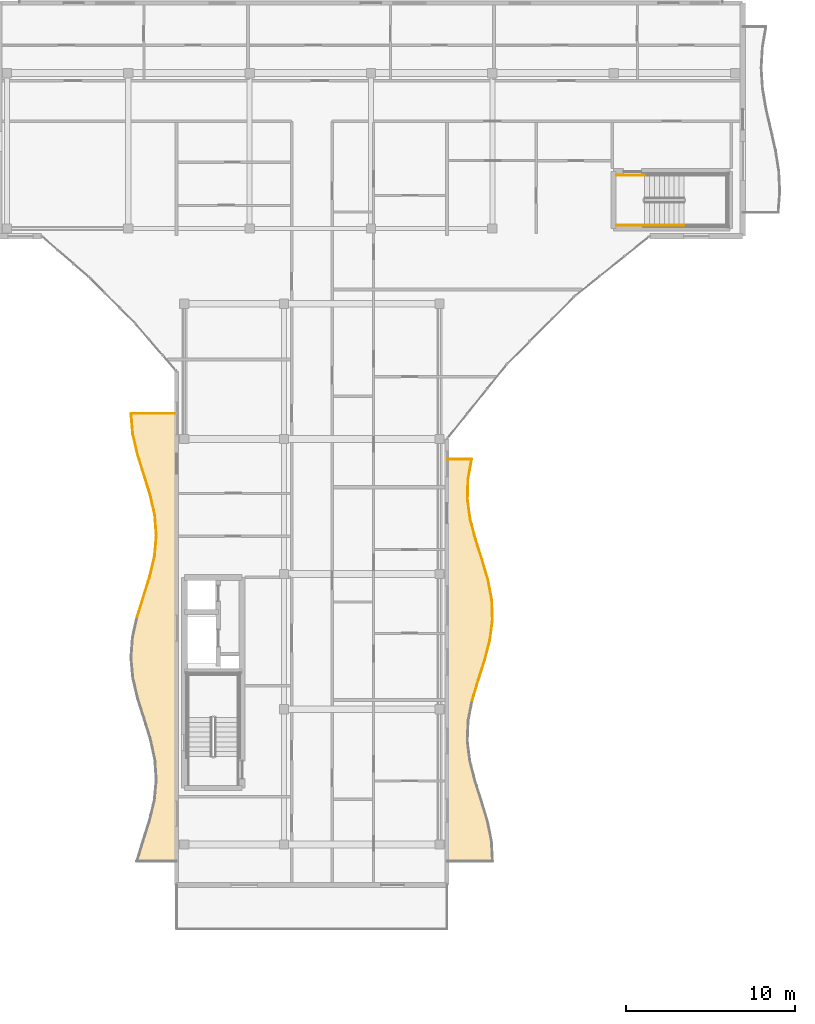
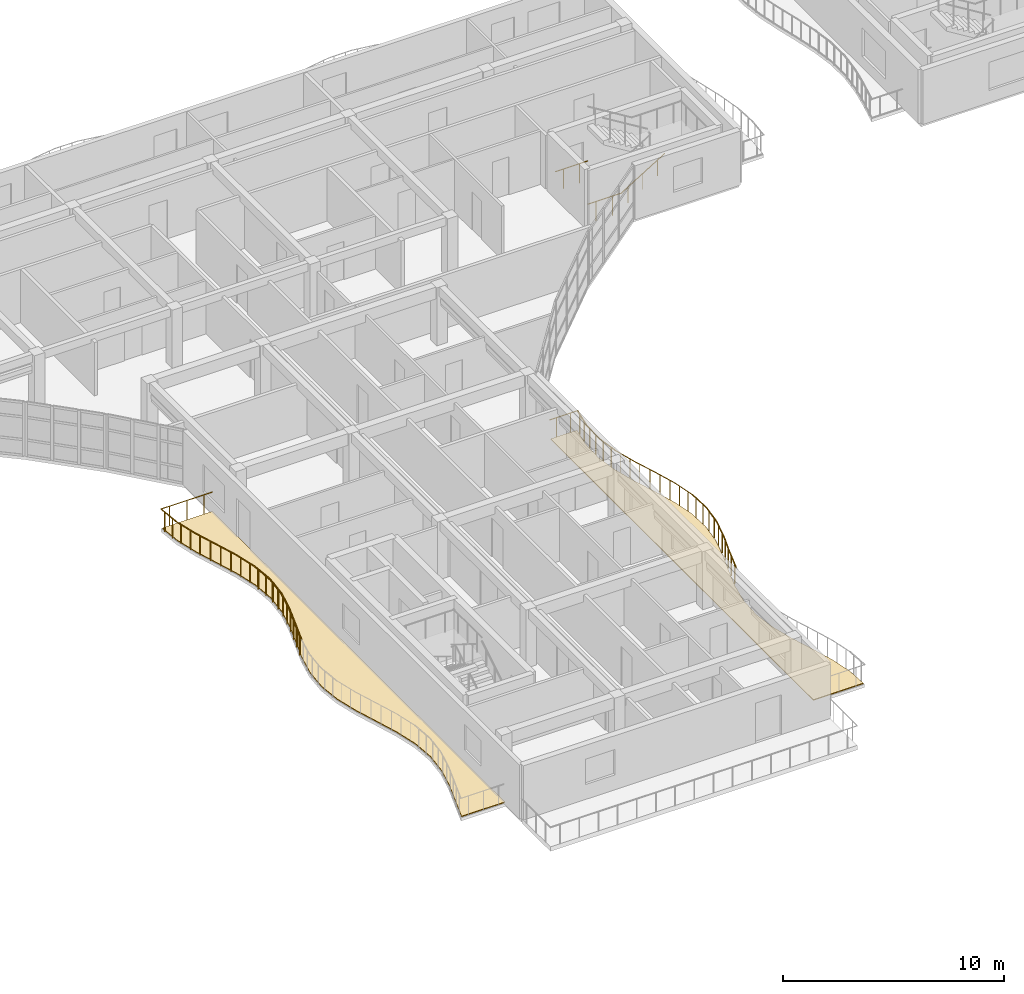
# One storey, part 42 of 49: 27 railings, 2 coverings.
"""IFC4 building model written with IfcOpenShell, lengths in metres."""

from ifc_helpers import new_model, si_unit, direction, frame, origin, origin_2d, place, context, subcontext, project, spatial, polyline, circle, outline, extrude, material, layer, layer_set, type_object, element, save


model = new_model("IFC4")

# Units and contexts
model_context = context("Model", 3, precision=1e-05, world=origin(), true_north=direction((0.0, 1.0)))
body_context = subcontext(model_context, "Body", "Model", "MODEL_VIEW")
ifc_project = project(units=[si_unit("LENGTHUNIT", "METRE"), si_unit("AREAUNIT", "SQUARE_METRE"), si_unit("VOLUMEUNIT", "CUBIC_METRE"), si_unit("PLANEANGLEUNIT", "RADIAN"), si_unit("MASSUNIT", "GRAM", prefix="KILO")], contexts=[model_context])

# Site, building, storey
site_placement = place(None, origin())
site = spatial("IfcSite", under=ifc_project, at=site_placement, CompositionType="ELEMENT")
building_placement = place(site_placement, origin())
building = spatial("IfcBuilding", under=site, at=building_placement, Name="Keldmere Railside Commons", CompositionType="ELEMENT")
storey_placement = place(building_placement, frame((0.0, 0.0, 29.760009765625)))
storey = spatial("IfcBuildingStorey", under=building, at=storey_placement, Name="L09", CompositionType="ELEMENT", Elevation=29.760009765625)

# Railings
ifc_material_1 = material(Name="Steel F-24 (S235)", Category="steel")
railing_type_1 = type_object("IfcRailingType", Name="Balcony & Terrace Steel Balustrade 1100", PredefinedType="BALUSTRADE", material=ifc_material_1)
railing_1_placement = place(storey_placement, frame((121.48876953125, 72.52001953125, 0.0)))
element("IfcRailing", 1, at=railing_1_placement, inside=storey, type_object=railing_type_1, Name="GR-1 GRD-L09-2885", PredefinedType="BALUSTRADE", context=body_context, shape_type="SweptSolid", body=[
    extrude(circle(Radius=0.02392578125, at=origin_2d()), frame((0.0, 0.0, 1.076171875), z_axis=(0.285326710454, 0.958430314786, 0.0), x_axis=(-0.958430314786, 0.285326710454, 0.0)), (0.0, 0.0, 1.0), 1.241455078125),
    extrude(circle(Radius=0.02099609375, at=origin_2d()), frame((0.088623046875, 0.29736328125, 0.0)), (0.0, 0.0, 1.0), 1.048095703125),
    extrude(circle(Radius=0.02099609375, at=origin_2d()), frame((0.265625, 0.892578125, 0.0)), (0.0, 0.0, 1.0), 1.048095703125),
])
railing_2_placement = place(storey_placement, frame((121.843017578125, 73.7099609375, 0.0)))
element("IfcRailing", 2, at=railing_2_placement, inside=storey, type_object=railing_type_1, Name="GR-1 GRD-L09-2886", PredefinedType="BALUSTRADE", context=body_context, shape_type="SweptSolid", body=[
    extrude(circle(Radius=0.02392578125, at=origin_2d()), frame((0.0, 0.0, 1.076171875), z_axis=(0.305895364258, 0.952065137543, 0.0), x_axis=(-0.952065137543, 0.305895364258, 0.0)), (0.0, 0.0, 1.0), 1.249755859375),
    extrude(circle(Radius=0.02099609375, at=origin_2d()), frame((0.095703125, 0.29736328125, 0.0)), (0.0, 0.0, 1.0), 1.048095703125),
    extrude(circle(Radius=0.02099609375, at=origin_2d()), frame((0.28662109375, 0.892578125, 0.0)), (0.0, 0.0, 1.0), 1.048095703125),
])
railing_3_placement = place(storey_placement, frame((122.225341796875, 74.89990234375, 0.0)))
element("IfcRailing", 3, at=railing_3_placement, inside=storey, type_object=railing_type_1, Name="GR-1 GRD-L09-2887", PredefinedType="BALUSTRADE", context=body_context, shape_type="SweptSolid", body=[
    extrude(circle(Radius=0.02392578125, at=origin_2d()), frame((0.0, 0.0, 1.076171875), z_axis=(0.252098657136, 0.967701538218, 0.0), x_axis=(-0.967701538218, 0.252098657136, 0.0)), (0.0, 0.0, 1.0), 1.22998046875),
    extrude(circle(Radius=0.02099609375, at=origin_2d()), frame((0.07763671875, 0.297607421875, 0.0)), (0.0, 0.0, 1.0), 1.048095703125),
    extrude(circle(Radius=0.02099609375, at=origin_2d()), frame((0.232421875, 0.892578125, 0.0)), (0.0, 0.0, 1.0), 1.048095703125),
])
railing_4_placement = place(storey_placement, frame((122.535400390625, 76.090087890625, 0.0)))
element("IfcRailing", 4, at=railing_4_placement, inside=storey, type_object=railing_type_1, Name="GR-1 GRD-L09-2888", PredefinedType="BALUSTRADE", context=body_context, shape_type="SweptSolid", body=[
    extrude(circle(Radius=0.02392578125, at=origin_2d()), frame((0.0, 0.0, 1.076171875), z_axis=(0.129591400341, 0.991567480789, 0.0), x_axis=(-0.991567480789, 0.129591400341, 0.0)), (0.0, 0.0, 1.0), 1.199951171875),
    extrude(circle(Radius=0.02099609375, at=origin_2d()), frame((0.038818359375, 0.29736328125, 0.0)), (0.0, 0.0, 1.0), 1.048095703125),
    extrude(circle(Radius=0.02099609375, at=origin_2d()), frame((0.11669921875, 0.892578125, 0.0)), (0.0, 0.0, 1.0), 1.048095703125),
])
railing_5_placement = place(storey_placement, frame((122.69091796875, 77.280029296875, 0.0)))
element("IfcRailing", 5, at=railing_5_placement, inside=storey, type_object=railing_type_1, Name="GR-1 GRD-L09-2889", PredefinedType="BALUSTRADE", context=body_context, shape_type="SweptSolid", body=[
    extrude(circle(Radius=0.02392578125, at=origin_2d()), frame((0.0, 0.0, 1.076171875), z_axis=(-0.03342407167, 0.999441259621, 0.0), x_axis=(-0.999441259621, -0.03342407167, 0.0)), (0.0, 0.0, 1.0), 1.190673828125),
    extrude(circle(Radius=0.02099609375, at=origin_2d()), frame((-0.010009765625, 0.29736328125, 0.0)), (0.0, 0.0, 1.0), 1.048095703125),
    extrude(circle(Radius=0.02099609375, at=origin_2d()), frame((-0.02978515625, 0.892578125, 0.0)), (0.0, 0.0, 1.0), 1.048095703125),
])
railing_6_placement = place(storey_placement, frame((122.651123046875, 78.469970703125, 0.0)))
element("IfcRailing", 6, at=railing_6_placement, inside=storey, type_object=railing_type_1, Name="GR-1 GRD-L09-2890", PredefinedType="BALUSTRADE", context=body_context, shape_type="SweptSolid", body=[
    extrude(circle(Radius=0.02392578125, at=origin_2d()), frame((0.0, 0.0, 1.076171875), z_axis=(-0.185481322668, 0.982647789873, 0.0), x_axis=(-0.982647789873, -0.185481322668, 0.0)), (0.0, 0.0, 1.0), 1.2109375),
    extrude(circle(Radius=0.02099609375, at=origin_2d()), frame((-0.05615234375, 0.29736328125, 0.0)), (0.0, 0.0, 1.0), 1.048095703125),
    extrude(circle(Radius=0.02099609375, at=origin_2d()), frame((-0.16845703125, 0.892578125, 0.0)), (0.0, 0.0, 1.0), 1.048095703125),
])
railing_7_placement = place(storey_placement, frame((122.426513671875, 79.659912109375, 0.0)))
element("IfcRailing", 7, at=railing_7_placement, inside=storey, type_object=railing_type_1, Name="GR-1 GRD-L09-2891", PredefinedType="BALUSTRADE", context=body_context, shape_type="SweptSolid", body=[
    extrude(circle(Radius=0.02392578125, at=origin_2d()), frame((0.0, 0.0, 1.076171875), z_axis=(-0.282198286704, 0.959356100195, 0.0), x_axis=(-0.959356100195, -0.282198286704, 0.0)), (0.0, 0.0, 1.0), 1.24072265625),
    extrude(circle(Radius=0.02099609375, at=origin_2d()), frame((-0.08740234375, 0.297607421875, 0.0)), (0.0, 0.0, 1.0), 1.048095703125),
    extrude(circle(Radius=0.02099609375, at=origin_2d()), frame((-0.2626953125, 0.892578125, 0.0)), (0.0, 0.0, 1.0), 1.048095703125),
])
railing_8_placement = place(storey_placement, frame((122.076416015625, 80.85009765625, 0.0)))
element("IfcRailing", 8, at=railing_8_placement, inside=storey, type_object=railing_type_1, Name="GR-1 GRD-L09-2892", PredefinedType="BALUSTRADE", context=body_context, shape_type="SweptSolid", body=[
    extrude(circle(Radius=0.02392578125, at=origin_2d()), frame((0.0, 0.0, 1.076171875), z_axis=(-0.306603340453, 0.951837376668, 0.0), x_axis=(-0.951837376668, -0.306603340453, 0.0)), (0.0, 0.0, 1.0), 1.250244140625),
    extrude(circle(Radius=0.02099609375, at=origin_2d()), frame((-0.095703125, 0.29736328125, 0.0)), (0.0, 0.0, 1.0), 1.048095703125),
    extrude(circle(Radius=0.02099609375, at=origin_2d()), frame((-0.28759765625, 0.892578125, 0.0)), (0.0, 0.0, 1.0), 1.048095703125),
])
railing_9_placement = place(storey_placement, frame((121.693115234375, 82.0400390625, 0.0)))
element("IfcRailing", 9, at=railing_9_placement, inside=storey, type_object=railing_type_1, Name="GR-1 GRD-L09-2893", PredefinedType="BALUSTRADE", context=body_context, shape_type="SweptSolid", body=[
    extrude(circle(Radius=0.02392578125, at=origin_2d()), frame((0.0, 0.0, 1.076171875), z_axis=(-0.256601051732, 0.966517408146, 0.0), x_axis=(-0.966517408146, -0.256601051732, 0.0)), (0.0, 0.0, 1.0), 1.231201171875),
    extrude(circle(Radius=0.02099609375, at=origin_2d()), frame((-0.0791015625, 0.29736328125, 0.0)), (0.0, 0.0, 1.0), 1.048095703125),
    extrude(circle(Radius=0.02099609375, at=origin_2d()), frame((-0.23681640625, 0.892578125, 0.0)), (0.0, 0.0, 1.0), 1.048095703125),
])
railing_10_placement = place(storey_placement, frame((121.377197265625, 83.22998046875, 0.0)))
element("IfcRailing", 10, at=railing_10_placement, inside=storey, type_object=railing_type_1, Name="GR-1 GRD-L09-2894", PredefinedType="BALUSTRADE", context=body_context, shape_type="SweptSolid", body=[
    extrude(circle(Radius=0.02392578125, at=origin_2d()), frame((0.0, 0.0, 1.076171875), z_axis=(-0.137180668713, 0.990546043418, 0.0), x_axis=(-0.990546043418, -0.137180668713, 0.0)), (0.0, 0.0, 1.0), 1.201416015625),
    extrude(circle(Radius=0.02099609375, at=origin_2d()), frame((-0.041259765625, 0.29736328125, 0.0)), (0.0, 0.0, 1.0), 1.048095703125),
    extrude(circle(Radius=0.02099609375, at=origin_2d()), frame((-0.12353515625, 0.892578125, 0.0)), (0.0, 0.0, 1.0), 1.048095703125),
])
railing_11_placement = place(storey_placement, frame((121.21240234375, 84.419921875, 0.0)))
element("IfcRailing", 11, at=railing_11_placement, inside=storey, type_object=railing_type_1, Name="GR-1 GRD-L09-2895", PredefinedType="BALUSTRADE", context=body_context, shape_type="SweptSolid", body=[
    extrude(circle(Radius=0.02392578125, at=origin_2d()), frame((0.0, 0.0, 1.076171875), z_axis=(0.025017808142, 0.999687005655, 0.0), x_axis=(-0.999687005655, 0.025017808142, 0.0)), (0.0, 0.0, 1.0), 1.190673828125),
    extrude(circle(Radius=0.02099609375, at=origin_2d()), frame((0.00732421875, 0.297607421875, 0.0)), (0.0, 0.0, 1.0), 1.048095703125),
    extrude(circle(Radius=0.02099609375, at=origin_2d()), frame((0.0224609375, 0.892578125, 0.0)), (0.0, 0.0, 1.0), 1.048095703125),
])
railing_12_placement = place(storey_placement, frame((121.2421875, 85.610107421875, 0.0)))
element("IfcRailing", 12, at=railing_12_placement, inside=storey, type_object=railing_type_1, Name="GR-1 GRD-L09-2896", PredefinedType="BALUSTRADE", context=body_context, shape_type="SweptSolid", body=[
    extrude(circle(Radius=0.02392578125, at=origin_2d()), frame((0.0, 0.0, 1.076171875), z_axis=(0.178849910336, 0.983876369049, 0.0), x_axis=(-0.983876369049, 0.178849910336, 0.0)), (0.0, 0.0, 1.0), 1.20947265625),
    extrude(circle(Radius=0.02099609375, at=origin_2d()), frame((0.05419921875, 0.29736328125, 0.0)), (0.0, 0.0, 1.0), 1.048095703125),
    extrude(circle(Radius=0.02099609375, at=origin_2d()), frame((0.162109375, 0.892578125, 0.0)), (0.0, 0.0, 1.0), 1.048095703125),
])
railing_13_placement = place(storey_placement, frame((121.45849609375, 86.800048828125, 0.0)))
element("IfcRailing", 13, at=railing_13_placement, inside=storey, type_object=railing_type_1, Name="GR-1 GRD-L09-2897", PredefinedType="BALUSTRADE", context=body_context, shape_type="SweptSolid", body=[
    extrude(circle(Radius=0.02392578125, at=origin_2d()), frame((0.0, 0.0, 1.076171875), z_axis=(-1.0, 0.0, 0.0), x_axis=(0.0, -1.0, 0.0)), (0.0, 0.0, 1.0), 1.45849609375),
    extrude(circle(Radius=0.02099609375, at=origin_2d()), frame((-0.36474609375, 0.0, 0.0)), (0.0, 0.0, 1.0), 1.048095703125),
    extrude(circle(Radius=0.02099609375, at=origin_2d()), frame((-1.09375, 0.0, 0.0)), (0.0, 0.0, 1.0), 1.048095703125),
])
railing_14_placement = place(storey_placement, frame((101.6572265625, 77.45458984375, 0.0)))
element("IfcRailing", 14, at=railing_14_placement, inside=storey, type_object=railing_type_1, Name="GR-1 GRD-L09-2911", PredefinedType="BALUSTRADE", context=body_context, shape_type="SweptSolid", body=[
    extrude(circle(Radius=0.02392578125, at=origin_2d()), frame((0.0, 0.0, 1.076171875), z_axis=(0.296356595453, 0.955077362485, 0.0), x_axis=(-0.955077362485, 0.296356595453, 0.0)), (0.0, 0.0, 1.0), 1.26123046875),
    extrude(circle(Radius=0.02099609375, at=origin_2d()), frame((0.093505859375, 0.30126953125, 0.0)), (0.0, 0.0, 1.0), 1.048095703125),
    extrude(circle(Radius=0.02099609375, at=origin_2d()), frame((0.2802734375, 0.9033203125, 0.0)), (0.0, 0.0, 1.0), 1.048095703125),
])
railing_15_placement = place(storey_placement, frame((102.031005859375, 78.6591796875, 0.0)))
element("IfcRailing", 15, at=railing_15_placement, inside=storey, type_object=railing_type_1, Name="GR-1 GRD-L09-2912", PredefinedType="BALUSTRADE", context=body_context, shape_type="SweptSolid", body=[
    extrude(circle(Radius=0.02392578125, at=origin_2d()), frame((0.0, 0.0, 1.076171875), z_axis=(0.299937222514, 0.953958941753, 0.0), x_axis=(-0.953958941753, 0.299937222514, 0.0)), (0.0, 0.0, 1.0), 1.262451171875),
    extrude(circle(Radius=0.02099609375, at=origin_2d()), frame((0.0947265625, 0.301025390625, 0.0)), (0.0, 0.0, 1.0), 1.048095703125),
    extrude(circle(Radius=0.02099609375, at=origin_2d()), frame((0.283935546875, 0.9033203125, 0.0)), (0.0, 0.0, 1.0), 1.048095703125),
])
railing_16_placement = place(storey_placement, frame((102.40966796875, 79.863525390625, 0.0)))
element("IfcRailing", 16, at=railing_16_placement, inside=storey, type_object=railing_type_1, Name="GR-1 GRD-L09-2913", PredefinedType="BALUSTRADE", context=body_context, shape_type="SweptSolid", body=[
    extrude(circle(Radius=0.02392578125, at=origin_2d()), frame((0.0, 0.0, 1.076171875), z_axis=(0.227741153705, 0.97372170917, 0.0), x_axis=(-0.97372170917, 0.227741153705, 0.0)), (0.0, 0.0, 1.0), 1.237060546875),
    extrude(circle(Radius=0.02099609375, at=origin_2d()), frame((0.0703125, 0.30126953125, 0.0)), (0.0, 0.0, 1.0), 1.048095703125),
    extrude(circle(Radius=0.02099609375, at=origin_2d()), frame((0.21142578125, 0.9033203125, 0.0)), (0.0, 0.0, 1.0), 1.048095703125),
])
railing_17_placement = place(storey_placement, frame((102.69140625, 81.068115234375, 0.0)))
element("IfcRailing", 17, at=railing_17_placement, inside=storey, type_object=railing_type_1, Name="GR-1 GRD-L09-2914", PredefinedType="BALUSTRADE", context=body_context, shape_type="SweptSolid", body=[
    extrude(circle(Radius=0.02392578125, at=origin_2d()), frame((0.0, 0.0, 1.076171875), z_axis=(0.089625685226, 0.995975520054, 0.0), x_axis=(-0.995975520054, 0.089625685226, 0.0)), (0.0, 0.0, 1.0), 1.20947265625),
    extrude(circle(Radius=0.02099609375, at=origin_2d()), frame((0.027099609375, 0.30126953125, 0.0)), (0.0, 0.0, 1.0), 1.048095703125),
    extrude(circle(Radius=0.02099609375, at=origin_2d()), frame((0.081298828125, 0.9033203125, 0.0)), (0.0, 0.0, 1.0), 1.048095703125),
])
railing_18_placement = place(storey_placement, frame((102.7998046875, 82.272705078125, 0.0)))
element("IfcRailing", 18, at=railing_18_placement, inside=storey, type_object=railing_type_1, Name="GR-1 GRD-L09-2915", PredefinedType="BALUSTRADE", context=body_context, shape_type="SweptSolid", body=[
    extrude(circle(Radius=0.02392578125, at=origin_2d()), frame((0.0, 0.0, 1.076171875), z_axis=(-0.077592682401, 0.996985143138, 0.0), x_axis=(-0.996985143138, -0.077592682401, 0.0)), (0.0, 0.0, 1.0), 1.208251953125),
    extrude(circle(Radius=0.02099609375, at=origin_2d()), frame((-0.0234375, 0.30126953125, 0.0)), (0.0, 0.0, 1.0), 1.048095703125),
    extrude(circle(Radius=0.02099609375, at=origin_2d()), frame((-0.0703125, 0.9033203125, 0.0)), (0.0, 0.0, 1.0), 1.048095703125),
])
railing_19_placement = place(storey_placement, frame((102.7060546875, 83.477294921875, 0.0)))
element("IfcRailing", 19, at=railing_19_placement, inside=storey, type_object=railing_type_1, Name="GR-1 GRD-L09-2916", PredefinedType="BALUSTRADE", context=body_context, shape_type="SweptSolid", body=[
    extrude(circle(Radius=0.02392578125, at=origin_2d()), frame((0.0, 0.0, 1.076171875), z_axis=(-0.21948396422, 0.975616107621, 0.0), x_axis=(-0.975616107621, -0.21948396422, 0.0)), (0.0, 0.0, 1.0), 1.234619140625),
    extrude(circle(Radius=0.02099609375, at=origin_2d()), frame((-0.06787109375, 0.30126953125, 0.0)), (0.0, 0.0, 1.0), 1.048095703125),
    extrude(circle(Radius=0.02099609375, at=origin_2d()), frame((-0.203125, 0.9033203125, 0.0)), (0.0, 0.0, 1.0), 1.048095703125),
])
railing_20_placement = place(storey_placement, frame((102.43505859375, 84.681884765625, 0.0)))
element("IfcRailing", 20, at=railing_20_placement, inside=storey, type_object=railing_type_1, Name="GR-1 GRD-L09-2917", PredefinedType="BALUSTRADE", context=body_context, shape_type="SweptSolid", body=[
    extrude(circle(Radius=0.02392578125, at=origin_2d()), frame((0.0, 0.0, 1.076171875), z_axis=(-0.297239064551, 0.954803088864, 0.0), x_axis=(-0.954803088864, -0.297239064551, 0.0)), (0.0, 0.0, 1.0), 1.26171875),
    extrude(circle(Radius=0.02099609375, at=origin_2d()), frame((-0.09375, 0.30126953125, 0.0)), (0.0, 0.0, 1.0), 1.048095703125),
    extrude(circle(Radius=0.02099609375, at=origin_2d()), frame((-0.28125, 0.9033203125, 0.0)), (0.0, 0.0, 1.0), 1.048095703125),
])
railing_21_placement = place(storey_placement, frame((102.06005859375, 85.886474609375, 0.0)))
element("IfcRailing", 21, at=railing_21_placement, inside=storey, type_object=railing_type_1, Name="GR-1 GRD-L09-2918", PredefinedType="BALUSTRADE", context=body_context, shape_type="SweptSolid", body=[
    extrude(circle(Radius=0.02392578125, at=origin_2d()), frame((0.0, 0.0, 1.076171875), z_axis=(-0.29905691033, 0.954235277269, 0.0), x_axis=(-0.954235277269, -0.29905691033, 0.0)), (0.0, 0.0, 1.0), 1.26220703125),
    extrude(circle(Radius=0.02099609375, at=origin_2d()), frame((-0.09423828125, 0.301025390625, 0.0)), (0.0, 0.0, 1.0), 1.048095703125),
    extrude(circle(Radius=0.02099609375, at=origin_2d()), frame((-0.283203125, 0.9033203125, 0.0)), (0.0, 0.0, 1.0), 1.048095703125),
])
railing_22_placement = place(storey_placement, frame((101.6826171875, 87.0908203125, 0.0)))
element("IfcRailing", 22, at=railing_22_placement, inside=storey, type_object=railing_type_1, Name="GR-1 GRD-L09-2919", PredefinedType="BALUSTRADE", context=body_context, shape_type="SweptSolid", body=[
    extrude(circle(Radius=0.02392578125, at=origin_2d()), frame((0.0, 0.0, 1.076171875), z_axis=(-0.225306550653, 0.974287923682, 0.0), x_axis=(-0.974287923682, -0.225306550653, 0.0)), (0.0, 0.0, 1.0), 1.236328125),
    extrude(circle(Radius=0.02099609375, at=origin_2d()), frame((-0.069580078125, 0.30126953125, 0.0)), (0.0, 0.0, 1.0), 1.048095703125),
    extrude(circle(Radius=0.02099609375, at=origin_2d()), frame((-0.208984375, 0.9033203125, 0.0)), (0.0, 0.0, 1.0), 1.048095703125),
])
railing_23_placement = place(storey_placement, frame((101.404052734375, 88.29541015625, 0.0)))
element("IfcRailing", 23, at=railing_23_placement, inside=storey, type_object=railing_type_1, Name="GR-1 GRD-L09-2920", PredefinedType="BALUSTRADE", context=body_context, shape_type="SweptSolid", body=[
    extrude(circle(Radius=0.02392578125, at=origin_2d()), frame((0.0, 0.0, 1.076171875), z_axis=(-0.086019660582, 0.996293439702, 0.0), x_axis=(-0.996293439702, -0.086019660582, 0.0)), (0.0, 0.0, 1.0), 1.208984375),
    extrude(circle(Radius=0.02099609375, at=origin_2d()), frame((-0.02587890625, 0.30126953125, 0.0)), (0.0, 0.0, 1.0), 1.048095703125),
    extrude(circle(Radius=0.02099609375, at=origin_2d()), frame((-0.078125, 0.9033203125, 0.0)), (0.0, 0.0, 1.0), 1.048095703125),
])
railing_24_placement = place(storey_placement, frame((101.300048828125, 89.5, 0.0)))
element("IfcRailing", 24, at=railing_24_placement, inside=storey, type_object=railing_type_1, Name="GR-1 GRD-L09-2921", PredefinedType="BALUSTRADE", context=body_context, shape_type="SweptSolid", body=[
    extrude(circle(Radius=0.02392578125, at=origin_2d()), frame((0.0, 0.0, 1.076171875), z_axis=(1.0, 0.0, 0.0), x_axis=(0.0, 1.0, 0.0)), (0.0, 0.0, 1.0), 2.699951171875),
    extrude(circle(Radius=0.02099609375, at=origin_2d()), frame((0.449951171875, 0.0, 0.0)), (0.0, 0.0, 1.0), 1.048095703125),
    extrude(circle(Radius=0.02099609375, at=origin_2d()), frame((1.35009765625, 0.0, 0.0)), (0.0, 0.0, 1.0), 1.048095703125),
    extrude(circle(Radius=0.02099609375, at=origin_2d()), frame((2.25, 0.0, 0.0)), (0.0, 0.0, 1.0), 1.048095703125),
])
railing_type_2 = type_object("IfcRailingType", Name="Stair Well Steel Guardrail 1100", PredefinedType="BALUSTRADE", material=ifc_material_1)
for number, where, name in (
    (25, (130.0, 100.64990234375, 0.0), "L09 ST-B2 stair guard 8"),
    (26, (130.0, 103.60009765625, 0.0), "L09 ST-B2 stair guard 9"),
):
    element("IfcRailing", number, at=place(storey_placement, frame(where)), inside=storey, type_object=railing_type_2, Name=name, PredefinedType="BALUSTRADE", context=body_context, shape_type="SweptSolid", body=[
        extrude(circle(Radius=0.02392578125, at=origin_2d()), frame((0.0, 0.0, 1.076171875), z_axis=(1.0, 0.0, 0.0), x_axis=(0.0, 1.0, 0.0)), (0.0, 0.0, 1.0), 1.699951171875),
        extrude(circle(Radius=0.02099609375, at=origin_2d()), frame((0.425048828125, 0.0, 0.0)), (0.0, 0.0, 1.0), 1.048095703125),
        extrude(circle(Radius=0.02099609375, at=origin_2d()), frame((1.27490234375, 0.0, 0.0)), (0.0, 0.0, 1.0), 1.048095703125),
    ])
railing_type_3 = type_object("IfcRailingType", Name="Wall-Mounted Tubular Steel Handrail 900", PredefinedType="HANDRAIL", material=ifc_material_1)
railing_25_placement = place(storey_placement, frame((131.699951171875, 100.64990234375, 0.177734375)))
element("IfcRailing", 27, at=railing_25_placement, inside=storey, type_object=railing_type_3, Name="L09 ST-B2 stair handrail 1", PredefinedType="HANDRAIL", context=body_context, shape_type="SweptSolid", body=[
    extrude(circle(Radius=0.02392578125, at=origin_2d()), frame((0.0, 0.0, 0.8759765625), z_axis=(0.852538067394, 0.0, 0.522665135287), x_axis=(0.0, 1.0, 0.0)), (0.0, 0.0, 1.0), 2.721435546875),
    extrude(circle(Radius=0.02099609375, at=origin_2d()), frame((0.38671875, 0.0, 0.237060546875)), (0.0, 0.0, 1.0), 0.847900390625),
    extrude(circle(Radius=0.02099609375, at=origin_2d()), frame((1.16015625, 0.0, 0.711181640625)), (0.0, 0.0, 1.0), 0.847900390625),
    extrude(circle(Radius=0.02099609375, at=origin_2d()), frame((1.933349609375, 0.0, 1.185302734375)), (0.0, 0.0, 1.0), 0.847900390625),
])

# Coverings
ifc_material_2 = material(Name="White Precast Concrete C35/45", Category="concrete")
ifc_layer = layer(ifc_material_2, 0.044921875, Name="White Architectural Balcony Ribbon Cladding 45")
ifc_layer_set = layer_set([ifc_layer], Name="White Precast Concrete C35/45")
covering_type = type_object("IfcCoveringType", Name="White Architectural Balcony Ribbon Cladding 45", PredefinedType="FLOORING", material=ifc_layer_set)
covering_1_placement = place(storey_placement, origin())
element("IfcCovering", 28, at=covering_1_placement, inside=storey, type_object=covering_type, Name="CLG-WB B L09 CE White Balcony Ribbon", PredefinedType="FLOORING", context=body_context, shape_type="SweptSolid", body=[
    extrude(outline(polyline([(122.596435546875, 64.18505859375), (122.35693359375, 65.370361328125), (121.99951171875, 66.55810546875), (121.618408203125, 67.747802734375), (121.61767578125, 67.75), (121.31396484375, 68.940185546875), (121.31298828125, 68.945068359375), (121.16650390625, 70.135009765625), (121.166259765625, 70.138427734375), (121.166259765625, 70.1416015625), (121.216064453125, 71.331787109375), (121.21630859375, 71.334716796875), (121.216796875, 71.337646484375), (121.449462890625, 72.527587890625), (121.450439453125, 72.531494140625), (121.8046875, 73.721435546875), (121.8046875, 73.72216796875), (122.18701171875, 74.9111328125), (122.49609375, 76.09765625), (122.65087890625, 77.281982421875), (122.611328125, 78.465576171875), (122.3876953125, 79.650634765625), (122.038330078125, 80.838134765625), (121.65478515625, 82.027587890625), (121.654296875, 82.02978515625), (121.33837890625, 83.2197265625), (121.337646484375, 83.224609375), (121.1728515625, 84.41455078125), (121.172607421875, 84.417724609375), (121.172607421875, 84.4208984375), (121.2021484375, 85.611083984375), (121.202392578125, 85.614013671875), (121.20263671875, 85.6171875), (121.410400390625, 86.760009765625), (120.0400390625, 86.760009765625), (120.0400390625, 63.0400390625), (122.65380859375, 63.0400390625), (122.596435546875, 64.18505859375)])), origin(), (0.0, 0.0, 1.0), 0.044921875),
])
covering_2_placement = place(storey_placement, origin())
element("IfcCovering", 29, at=covering_2_placement, inside=storey, type_object=covering_type, Name="CLG-WB B L09 CW White Balcony Ribbon", PredefinedType="FLOORING", context=body_context, shape_type="SweptSolid", body=[
    extrude(outline(polyline([(103.9599609375, 89.4599609375), (101.343505859375, 89.4599609375), (101.443603515625, 88.3017578125), (101.72119140625, 87.101318359375), (102.098388671875, 85.8984375), (102.098388671875, 85.898193359375), (102.47314453125, 84.693603515625), (102.47412109375, 84.690673828125), (102.7451171875, 83.486083984375), (102.745849609375, 83.48046875), (102.83984375, 82.27587890625), (102.83984375, 82.2724609375), (102.839599609375, 82.26904296875), (102.731201171875, 81.064697265625), (102.730224609375, 81.05908203125), (102.448486328125, 79.8544921875), (102.447998046875, 79.8515625), (102.069091796875, 78.647216796875), (101.696044921875, 77.444091796875), (101.429443359375, 76.244140625), (101.340576171875, 75.0458984375), (101.452880859375, 73.847412109375), (101.73681640625, 72.64697265625), (102.1162109375, 71.44384765625), (102.1162109375, 71.443603515625), (102.48828125, 70.239013671875), (102.4892578125, 70.23583984375), (102.75341796875, 69.03125), (102.75439453125, 69.025390625), (102.839111328125, 67.821044921875), (102.83935546875, 67.817626953125), (102.839111328125, 67.814208984375), (102.7216796875, 66.609619140625), (102.720703125, 66.604248046875), (102.432861328125, 65.39990234375), (102.431884765625, 65.39697265625), (102.05126953125, 64.192626953125), (101.696533203125, 63.0400390625), (103.9599609375, 63.0400390625), (103.9599609375, 89.4599609375)])), origin(), (0.0, 0.0, 1.0), 0.044921875),
])

save(model, "model.ifc")
